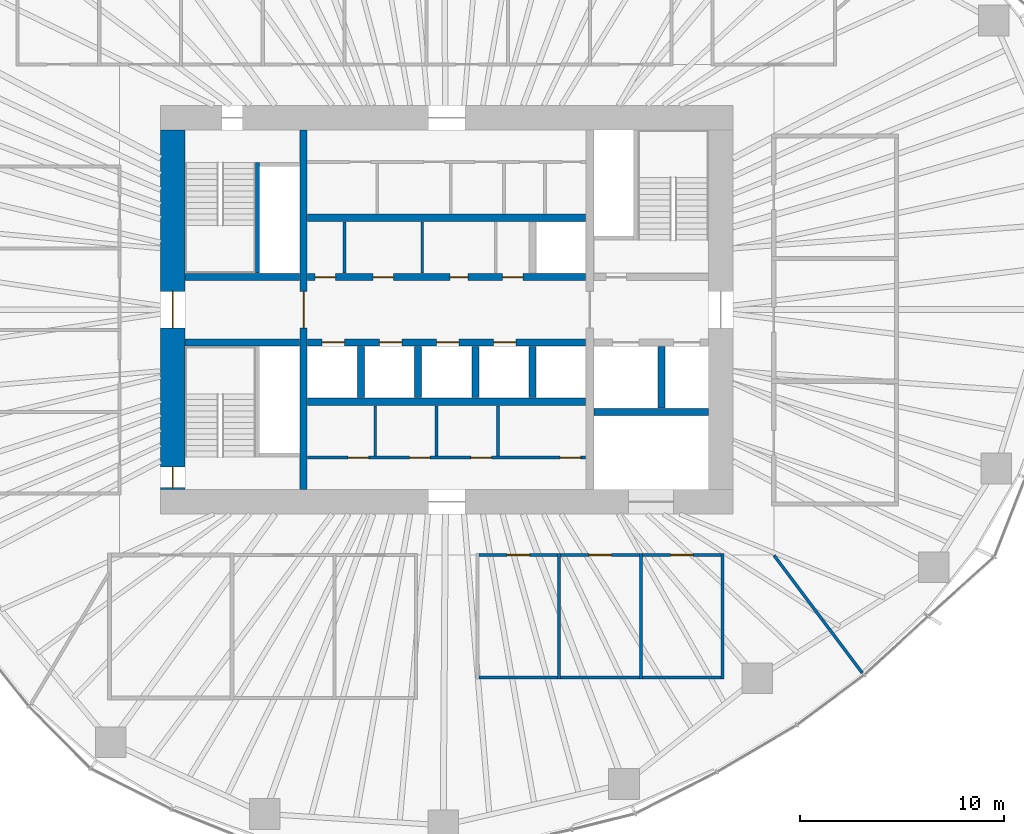
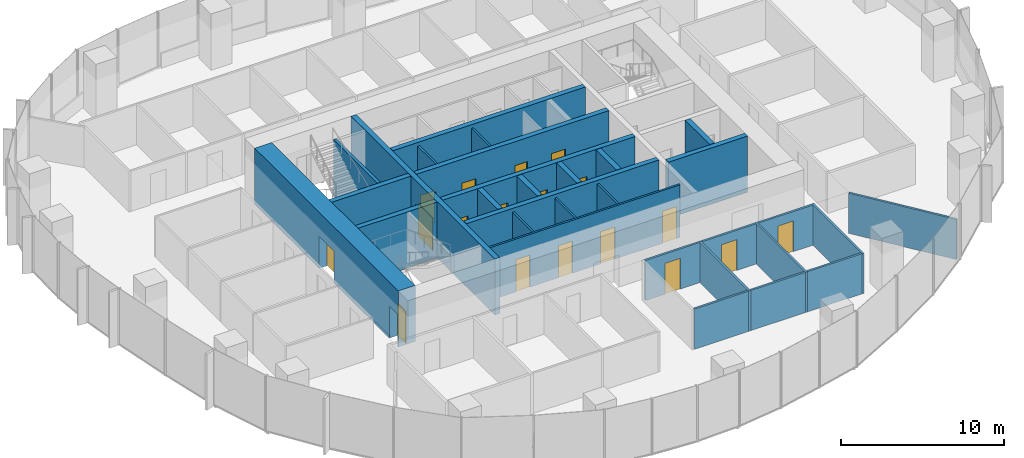
# One storey, part 9 of 18: 31 walls, 18 doors, 18 openings.
"""IFC4 building model written with IfcOpenShell, lengths in metres."""

from ifc_helpers import new_model, si_unit, direction, frame, frame_2d, origin, place, context, subcontext, project, spatial, rectangle, extrude, material, layer, layer_set, type_object, element, fill, save


model = new_model("IFC4")

# Units and contexts
model_context = context("Model", 3, precision=1e-05, world=origin(), true_north=direction((0.0, 1.0)))
body_context = subcontext(model_context, "Body", "Model", "MODEL_VIEW")
ifc_project = project(units=[si_unit("LENGTHUNIT", "METRE"), si_unit("AREAUNIT", "SQUARE_METRE"), si_unit("VOLUMEUNIT", "CUBIC_METRE"), si_unit("PLANEANGLEUNIT", "RADIAN"), si_unit("MASSUNIT", "GRAM", prefix="KILO")], contexts=[model_context])

# Site, building, storey
site_placement = place(None, origin())
site = spatial("IfcSite", under=ifc_project, at=site_placement, CompositionType="ELEMENT")
building_placement = place(site_placement, origin())
building = spatial("IfcBuilding", under=site, at=building_placement, Name="Ghaith Harvest Tower", CompositionType="ELEMENT")
storey_placement = place(building_placement, frame((0.0, 0.0, 113.39990234375)))
storey = spatial("IfcBuildingStorey", under=building, at=storey_placement, Name="L23", CompositionType="ELEMENT", Elevation=113.39990234375)

# Wall, openings, doors
ifc_material_1 = material(Name="Concrete blockwork, fair-faced", Category="masonry")
ifc_layer_1 = layer(ifc_material_1, 0.139892578125)
ifc_layer_set_1 = layer_set([ifc_layer_1], Name="CORE PARTITION 140")
wall_type_1 = type_object("IfcWallType", Name="CORE PARTITION 140", PredefinedType="PARTITIONING", material=ifc_layer_set_1)
wall_1_placement = place(storey_placement, frame((-6.800048828125, -7.22998046875, 0.0), z_axis=(0.0, 0.0, 1.0), x_axis=(1.0, 0.0, 0.0)))
wall_1 = element("IfcWall", 1, at=wall_1_placement, inside=storey, type_object=wall_type_1, Name="Core partition L23", PredefinedType="PARTITIONING", context=body_context, shape_type="SweptSolid", body=[
    extrude(rectangle(XDim=13.60009765625, YDim=0.139892578125, at=frame_2d((6.800048828125, 0.0))), origin(), (0.0, 0.0, 1.0), 3.9501953125),
])
opening_1_placement = place(wall_1_placement, frame((1.97998046875, 0.0, 0.0)))
opening_1 = element("IfcOpeningElement", 2, at=opening_1_placement, cuts=wall_1, Name="Opening 23-013", PredefinedType="OPENING", context=body_context, shape_type="SweptSolid", body=[
    extrude(rectangle(XDim=1.0, YDim=2.39990234375, at=frame_2d((0.5, 1.199951171875))), frame((0.0, 0.080078125, 0.0), z_axis=(0.0, -1.0, 0.0), x_axis=(1.0, 0.0, 0.0)), (0.0, 0.0, 1.0), 0.159912109375),
])
opening_2_placement = place(wall_1_placement, frame((4.97998046875, 0.0, 0.0)))
opening_2 = element("IfcOpeningElement", 3, at=opening_2_placement, cuts=wall_1, Name="Opening 23-014", PredefinedType="OPENING", context=body_context, shape_type="SweptSolid", body=[
    extrude(rectangle(XDim=1.0, YDim=2.39990234375, at=frame_2d((0.5, 1.199951171875))), frame((0.0, 0.080078125, 0.0), z_axis=(0.0, -1.0, 0.0), x_axis=(1.0, 0.0, 0.0)), (0.0, 0.0, 1.0), 0.159912109375),
])
opening_3_placement = place(wall_1_placement, frame((7.97998046875, 0.0, 0.0)))
opening_3 = element("IfcOpeningElement", 4, at=opening_3_placement, cuts=wall_1, Name="Opening 23-015", PredefinedType="OPENING", context=body_context, shape_type="SweptSolid", body=[
    extrude(rectangle(XDim=1.0, YDim=2.39990234375, at=frame_2d((0.5, 1.199951171875))), frame((0.0, 0.080078125, 0.0), z_axis=(0.0, -1.0, 0.0), x_axis=(1.0, 0.0, 0.0)), (0.0, 0.0, 1.0), 0.159912109375),
])
opening_4_placement = place(wall_1_placement, frame((12.35009765625, 0.0, 0.0)))
opening_4 = element("IfcOpeningElement", 5, at=opening_4_placement, cuts=wall_1, Name="Opening 23-016", PredefinedType="OPENING", context=body_context, shape_type="SweptSolid", body=[
    extrude(rectangle(XDim=1.0, YDim=2.39990234375, at=frame_2d((0.5, 1.199951171875))), frame((0.0, 0.080078125, 0.0), z_axis=(0.0, -1.0, 0.0), x_axis=(1.0, 0.0, 0.0)), (0.0, 0.0, 1.0), 0.159912109375),
])
ifc_material_2 = material(Name="Steel fire door", Category="steel")
door_type_1 = type_object("IfcDoorType", Name="D3 FD90 1000x2400", OperationType="SINGLE_SWING_LEFT", PredefinedType="DOOR", material=ifc_material_2)
door_1_placement = place(opening_1_placement, origin())
door_1 = element("IfcDoor", 6, at=door_1_placement, inside=storey, type_object=door_type_1, Name="Electrical room door", OperationType="SINGLE_SWING_LEFT", OverallHeight=2.39990234375, OverallWidth=1.0, PredefinedType="DOOR", context=body_context, shape_type="SweptSolid", body=[
    extrude(rectangle(XDim=1.0, YDim=2.39990234375, at=frame_2d((0.5, 1.199951171875))), frame((0.0, 0.02490234375, 0.0), z_axis=(0.0, -1.0, 0.0), x_axis=(1.0, 0.0, 0.0)), (0.0, 0.0, 1.0), 0.050048828125),
])
fill(opening_1, door_1)
door_2_placement = place(opening_2_placement, origin())
door_2 = element("IfcDoor", 7, at=door_2_placement, inside=storey, type_object=door_type_1, Name="IT equipment room door", OperationType="SINGLE_SWING_LEFT", OverallHeight=2.39990234375, OverallWidth=1.0, PredefinedType="DOOR", context=body_context, shape_type="SweptSolid", body=[
    extrude(rectangle(XDim=1.0, YDim=2.39990234375, at=frame_2d((0.5, 1.199951171875))), frame((0.0, 0.02490234375, 0.0), z_axis=(0.0, -1.0, 0.0), x_axis=(1.0, 0.0, 0.0)), (0.0, 0.0, 1.0), 0.050048828125),
])
fill(opening_2, door_2)
door_3_placement = place(opening_3_placement, origin())
door_3 = element("IfcDoor", 8, at=door_3_placement, inside=storey, type_object=door_type_1, Name="Tea point door", OperationType="SINGLE_SWING_RIGHT", OverallHeight=2.39990234375, OverallWidth=1.0, PredefinedType="DOOR", context=body_context, shape_type="SweptSolid", body=[
    extrude(rectangle(XDim=1.0, YDim=2.39990234375, at=frame_2d((0.5, 1.199951171875))), frame((0.0, 0.02490234375, 0.0), z_axis=(0.0, -1.0, 0.0), x_axis=(1.0, 0.0, 0.0)), (0.0, 0.0, 1.0), 0.050048828125),
])
fill(opening_3, door_3)
door_4_placement = place(opening_4_placement, origin())
door_4 = element("IfcDoor", 9, at=door_4_placement, inside=storey, type_object=door_type_1, Name="Riser room door", OperationType="SINGLE_SWING_RIGHT", OverallHeight=2.39990234375, OverallWidth=1.0, PredefinedType="DOOR", context=body_context, shape_type="SweptSolid", body=[
    extrude(rectangle(XDim=1.0, YDim=2.39990234375, at=frame_2d((0.5, 1.199951171875))), frame((0.0, 0.02490234375, 0.0), z_axis=(0.0, -1.0, 0.0), x_axis=(1.0, 0.0, 0.0)), (0.0, 0.0, 1.0), 0.050048828125),
])
fill(opening_4, door_4)

# Walls
for number, where, z_axis, x_axis, name in (
    (10, (-3.5, -4.699951171875, 0.0), (0.0, 0.0, 1.0), (0.0, -1.0, 0.0), "Core partition L23"),
    (11, (-0.5, -4.699951171875, 0.0), (0.0, 0.0, 1.0), (0.0, -1.0, 0.0), "Core partition L23"),
    (12, (2.5, -4.699951171875, 0.0), (0.0, 0.0, 1.0), (0.0, -1.0, 0.0), "Core partition L23"),
):
    element("IfcWall", number, at=place(storey_placement, frame(where, z_axis=z_axis, x_axis=x_axis)), inside=storey, type_object=wall_type_1, Name=name, PredefinedType="PARTITIONING", context=body_context, shape_type="SweptSolid", body=[
        extrude(rectangle(XDim=2.4599609375, YDim=0.139892578125, at=frame_2d((1.22998046875, 0.0))), origin(), (0.0, 0.0, 1.0), 3.9501953125),
    ])
for number, where, z_axis, x_axis, name in (
    (13, (-5.0, 1.800048828125, 0.0), (0.0, 0.0, 1.0), (0.0, 1.0, 0.0), "Core partition L23"),
    (14, (-1.199951171875, 1.800048828125, 0.0), (0.0, 0.0, 1.0), (0.0, 1.0, 0.0), "Core partition L23"),
):
    element("IfcWall", number, at=place(storey_placement, frame(where, z_axis=z_axis, x_axis=x_axis)), inside=storey, type_object=wall_type_1, Name=name, PredefinedType="PARTITIONING", context=body_context, shape_type="SweptSolid", body=[
        extrude(rectangle(XDim=2.5, YDim=0.139892578125, at=frame_2d((1.25, 0.0))), origin(), (0.0, 0.0, 1.0), 3.9501953125),
    ])

# Wall, openings, doors
ifc_material_3 = material(Name="Concrete C60/75", Category="concrete")
ifc_layer_2 = layer(ifc_material_3, 1.199951171875)
ifc_layer_set_2 = layer_set([ifc_layer_2], Name="CORE WALL CW1200 C60")
wall_type_2 = type_object("IfcWallType", Name="CORE WALL CW1200 C60", PredefinedType="SHEAR", material=ifc_layer_set_2)
wall_2_placement = place(storey_placement, frame((-13.39990234375, 8.800048828125, 0.0), z_axis=(0.0, 0.0, 1.0), x_axis=(0.0, -1.0, 0.0)))
wall_2 = element("IfcWall", 15, at=wall_2_placement, inside=storey, type_object=wall_type_2, Name="Core wall W L23", PredefinedType="SHEAR", context=body_context, shape_type="SweptSolid", body=[
    extrude(rectangle(XDim=17.60009765625, YDim=1.199951171875, at=frame_2d((8.800048828125, 0.0))), origin(), (0.0, 0.0, 1.0), 4.2001953125),
])
opening_5_placement = place(wall_2_placement, frame((7.89990234375, 0.0, 0.0)))
opening_5 = element("IfcOpeningElement", 16, at=opening_5_placement, cuts=wall_2, Name="Opening 23-001", PredefinedType="OPENING", context=body_context, shape_type="SweptSolid", body=[
    extrude(rectangle(XDim=1.800048828125, YDim=2.39990234375, at=frame_2d((0.89990234375, 1.199951171875))), frame((0.0, 0.60986328125, 0.0), z_axis=(0.0, -1.0, 0.0), x_axis=(1.0, 0.0, 0.0)), (0.0, 0.0, 1.0), 1.219970703125),
])
opening_6_placement = place(wall_2_placement, frame((16.5, 0.0, 0.0)))
opening_6 = element("IfcOpeningElement", 17, at=opening_6_placement, cuts=wall_2, Name="Opening 23-006", PredefinedType="OPENING", context=body_context, shape_type="SweptSolid", body=[
    extrude(rectangle(XDim=1.0, YDim=2.39990234375, at=frame_2d((0.5, 1.199951171875))), frame((0.0, 0.60986328125, 0.0), z_axis=(0.0, -1.0, 0.0), x_axis=(1.0, 0.0, 0.0)), (0.0, 0.0, 1.0), 1.219970703125),
])
door_5_placement = place(opening_6_placement, origin())
door_5 = element("IfcDoor", 18, at=door_5_placement, inside=storey, type_object=door_type_1, Name="Stair ST3 door", OperationType="SINGLE_SWING_RIGHT", OverallHeight=2.39990234375, OverallWidth=1.0, PredefinedType="DOOR", context=body_context, shape_type="SweptSolid", body=[
    extrude(rectangle(XDim=1.0, YDim=2.39990234375, at=frame_2d((0.5, 1.199951171875))), frame((0.0, 0.02490234375, 0.0), z_axis=(0.0, -1.0, 0.0), x_axis=(1.0, 0.0, 0.0)), (0.0, 0.0, 1.0), 0.050048828125),
])
fill(opening_6, door_5)
ifc_material_4 = material(Name="Steel fire door", Category="steel")
door_type_2 = type_object("IfcDoorType", Name="D4 FD90 PAIR 1800x2400", OperationType="DOUBLE_DOOR_SINGLE_SWING", PredefinedType="DOOR", material=ifc_material_4)
door_6_placement = place(opening_5_placement, origin())
door_6 = element("IfcDoor", 19, at=door_6_placement, inside=storey, type_object=door_type_2, Name="West lobby doors", OperationType="DOUBLE_DOOR_SINGLE_SWING", OverallHeight=2.39990234375, OverallWidth=1.800048828125, PredefinedType="DOOR", context=body_context, shape_type="SweptSolid", body=[
    extrude(rectangle(XDim=1.800048828125, YDim=2.39990234375, at=frame_2d((0.89990234375, 1.199951171875))), frame((0.0, 0.02490234375, 0.0), z_axis=(0.0, -1.0, 0.0), x_axis=(1.0, 0.0, 0.0)), (0.0, 0.0, 1.0), 0.050048828125),
])
fill(opening_5, door_6)

# Walls
ifc_material_5 = material(Name="Gypsum board on steel studs", Category="steel")
ifc_layer_3 = layer(ifc_material_5, 0.14990234375)
ifc_layer_set_3 = layer_set([ifc_layer_3], Name="PARTITION 150")
wall_type_3 = type_object("IfcWallType", Name="PARTITION 150", PredefinedType="PARTITIONING", material=ifc_layer_set_3)
for number, where, z_axis, x_axis, name in (
    (20, (5.5, -11.925048828125, 0.0), (0.0, 0.0, 1.0), (0.0, -1.0, 0.0), "Partition L23 row S5 cross wall 2"),
    (21, (9.5, -11.925048828125, 0.0), (0.0, 0.0, 1.0), (0.0, -1.0, 0.0), "Partition L23 row S5 cross wall 3"),
    (22, (13.5, -11.925048828125, 0.0), (0.0, 0.0, 1.0), (0.0, -1.0, 0.0), "Partition L23 row S5 cross wall 4"),
):
    element("IfcWall", number, at=place(storey_placement, frame(where, z_axis=z_axis, x_axis=x_axis)), inside=storey, type_object=wall_type_3, Name=name, PredefinedType="PARTITIONING", context=body_context, shape_type="SweptSolid", body=[
        extrude(rectangle(XDim=6.14990234375, YDim=0.14990234375, at=frame_2d((3.074951171875, 0.0))), origin(), (0.0, 0.0, 1.0), 3.0),
    ])

# Wall, opening, door
wall_3_placement = place(storey_placement, frame((1.574951171875, -12.0, 0.0), z_axis=(0.0, 0.0, 1.0), x_axis=(1.0, 0.0, 0.0)))
wall_3 = element("IfcWall", 23, at=wall_3_placement, inside=storey, type_object=wall_type_3, Name="Partition L23-16", PredefinedType="PARTITIONING", context=body_context, shape_type="SweptSolid", body=[
    extrude(rectangle(XDim=3.85009765625, YDim=0.14990234375, at=frame_2d((1.925048828125, 0.0))), origin(), (0.0, 0.0, 1.0), 3.0),
])
opening_7_placement = place(wall_3_placement, frame((1.375, 0.0, 0.0)))
opening_7 = element("IfcOpeningElement", 24, at=opening_7_placement, cuts=wall_3, Name="Opening 23-045", PredefinedType="OPENING", context=body_context, shape_type="SweptSolid", body=[
    extrude(rectangle(XDim=1.10009765625, YDim=2.300048828125, at=frame_2d((0.550048828125, 1.14990234375))), frame((0.0, 0.0849609375, 0.0), z_axis=(0.0, -1.0, 0.0), x_axis=(1.0, 0.0, 0.0)), (0.0, 0.0, 1.0), 0.169921875),
])
ifc_material_6 = material(Name="Timber-framed glazed door", Category="wood")
door_type_3 = type_object("IfcDoorType", Name="D12 GLAZED OFFICE 1100x2300", OperationType="SINGLE_SWING_LEFT", PredefinedType="DOOR", material=ifc_material_6)
door_7_placement = place(opening_7_placement, origin())
door_7 = element("IfcDoor", 25, at=door_7_placement, inside=storey, type_object=door_type_3, Name="Office door", OperationType="SINGLE_SWING_LEFT", OverallHeight=2.300048828125, OverallWidth=1.10009765625, PredefinedType="DOOR", context=body_context, shape_type="SweptSolid", body=[
    extrude(rectangle(XDim=1.10009765625, YDim=2.300048828125, at=frame_2d((0.550048828125, 1.14990234375))), frame((0.0, 0.02490234375, 0.0), z_axis=(0.0, -1.0, 0.0), x_axis=(1.0, 0.0, 0.0)), (0.0, 0.0, 1.0), 0.050048828125),
])
fill(opening_7, door_7)

# Wall
wall_4_placement = place(storey_placement, frame((1.574951171875, -18.0, 0.0), z_axis=(0.0, 0.0, 1.0), x_axis=(1.0, 0.0, 0.0)))
element("IfcWall", 26, at=wall_4_placement, inside=storey, type_object=wall_type_3, Name="Partition L23-16", PredefinedType="PARTITIONING", context=body_context, shape_type="SweptSolid", body=[
    extrude(rectangle(XDim=3.85009765625, YDim=0.14990234375, at=frame_2d((1.925048828125, 0.0))), origin(), (0.0, 0.0, 1.0), 3.0),
])

# Wall, opening, door
wall_5_placement = place(storey_placement, frame((5.574951171875, -12.0, 0.0), z_axis=(0.0, 0.0, 1.0), x_axis=(1.0, 0.0, 0.0)))
wall_5 = element("IfcWall", 27, at=wall_5_placement, inside=storey, type_object=wall_type_3, Name="Partition L23-17", PredefinedType="PARTITIONING", context=body_context, shape_type="SweptSolid", body=[
    extrude(rectangle(XDim=3.85009765625, YDim=0.14990234375, at=frame_2d((1.925048828125, 0.0))), origin(), (0.0, 0.0, 1.0), 3.0),
])
opening_8_placement = place(wall_5_placement, frame((1.375, 0.0, 0.0)))
opening_8 = element("IfcOpeningElement", 28, at=opening_8_placement, cuts=wall_5, Name="Opening 23-046", PredefinedType="OPENING", context=body_context, shape_type="SweptSolid", body=[
    extrude(rectangle(XDim=1.10009765625, YDim=2.300048828125, at=frame_2d((0.550048828125, 1.14990234375))), frame((0.0, 0.0849609375, 0.0), z_axis=(0.0, -1.0, 0.0), x_axis=(1.0, 0.0, 0.0)), (0.0, 0.0, 1.0), 0.169921875),
])
door_8_placement = place(opening_8_placement, origin())
door_8 = element("IfcDoor", 29, at=door_8_placement, inside=storey, type_object=door_type_3, Name="Office door", OperationType="SINGLE_SWING_LEFT", OverallHeight=2.300048828125, OverallWidth=1.10009765625, PredefinedType="DOOR", context=body_context, shape_type="SweptSolid", body=[
    extrude(rectangle(XDim=1.10009765625, YDim=2.300048828125, at=frame_2d((0.550048828125, 1.14990234375))), frame((0.0, 0.02490234375, 0.0), z_axis=(0.0, -1.0, 0.0), x_axis=(1.0, 0.0, 0.0)), (0.0, 0.0, 1.0), 0.050048828125),
])
fill(opening_8, door_8)

# Wall
wall_6_placement = place(storey_placement, frame((5.574951171875, -18.0, 0.0), z_axis=(0.0, 0.0, 1.0), x_axis=(1.0, 0.0, 0.0)))
element("IfcWall", 30, at=wall_6_placement, inside=storey, type_object=wall_type_3, Name="Partition L23-17", PredefinedType="PARTITIONING", context=body_context, shape_type="SweptSolid", body=[
    extrude(rectangle(XDim=3.85009765625, YDim=0.14990234375, at=frame_2d((1.925048828125, 0.0))), origin(), (0.0, 0.0, 1.0), 3.0),
])

# Wall, opening, door
wall_7_placement = place(storey_placement, frame((9.574951171875, -12.0, 0.0), z_axis=(0.0, 0.0, 1.0), x_axis=(1.0, 0.0, 0.0)))
wall_7 = element("IfcWall", 31, at=wall_7_placement, inside=storey, type_object=wall_type_3, Name="Partition L23-18", PredefinedType="PARTITIONING", context=body_context, shape_type="SweptSolid", body=[
    extrude(rectangle(XDim=3.85009765625, YDim=0.14990234375, at=frame_2d((1.925048828125, 0.0))), origin(), (0.0, 0.0, 1.0), 3.0),
])
opening_9_placement = place(wall_7_placement, frame((1.375, 0.0, 0.0)))
opening_9 = element("IfcOpeningElement", 32, at=opening_9_placement, cuts=wall_7, Name="Opening 23-047", PredefinedType="OPENING", context=body_context, shape_type="SweptSolid", body=[
    extrude(rectangle(XDim=1.10009765625, YDim=2.300048828125, at=frame_2d((0.550048828125, 1.14990234375))), frame((0.0, 0.0849609375, 0.0), z_axis=(0.0, -1.0, 0.0), x_axis=(1.0, 0.0, 0.0)), (0.0, 0.0, 1.0), 0.169921875),
])
door_9_placement = place(opening_9_placement, origin())
door_9 = element("IfcDoor", 33, at=door_9_placement, inside=storey, type_object=door_type_3, Name="Office door", OperationType="SINGLE_SWING_LEFT", OverallHeight=2.300048828125, OverallWidth=1.10009765625, PredefinedType="DOOR", context=body_context, shape_type="SweptSolid", body=[
    extrude(rectangle(XDim=1.10009765625, YDim=2.300048828125, at=frame_2d((0.550048828125, 1.14990234375))), frame((0.0, 0.02490234375, 0.0), z_axis=(0.0, -1.0, 0.0), x_axis=(1.0, 0.0, 0.0)), (0.0, 0.0, 1.0), 0.050048828125),
])
fill(opening_9, door_9)

# Walls
wall_8_placement = place(storey_placement, frame((9.574951171875, -18.0, 0.0), z_axis=(0.0, 0.0, 1.0), x_axis=(1.0, 0.0, 0.0)))
element("IfcWall", 34, at=wall_8_placement, inside=storey, type_object=wall_type_3, Name="Partition L23-18", PredefinedType="PARTITIONING", context=body_context, shape_type="SweptSolid", body=[
    extrude(rectangle(XDim=3.85009765625, YDim=0.14990234375, at=frame_2d((1.925048828125, 0.0))), origin(), (0.0, 0.0, 1.0), 3.0),
])
wall_9_placement = place(storey_placement, frame((16.011962890625, -12.01611328125, 0.0), z_axis=(0.0, 0.0, 1.0), x_axis=(0.600059749679, -0.799955184254, 0.0)))
element("IfcWall", 35, at=wall_9_placement, inside=storey, type_object=wall_type_3, Name="Partition L23 zone division", PredefinedType="PARTITIONING", context=body_context, shape_type="SweptSolid", body=[
    extrude(rectangle(XDim=7.191162109375, YDim=0.14990234375, at=frame_2d((3.595703125, 0.0))), origin(), (0.0, 0.0, 1.0), 3.0),
])

# Wall, opening, door
ifc_material_7 = material(Name="Concrete C60/75", Category="concrete")
ifc_layer_4 = layer(ifc_material_7, 0.35009765625)
ifc_layer_set_4 = layer_set([ifc_layer_4], Name="SHAFT WALL 350")
wall_type_4 = type_object("IfcWallType", Name="SHAFT WALL 350", PredefinedType="SHEAR", material=ifc_layer_set_4)
wall_10_placement = place(storey_placement, frame((-7.0, -8.800048828125, 0.0), z_axis=(0.0, 0.0, 1.0), x_axis=(0.0, 1.0, 0.0)))
wall_10 = element("IfcWall", 36, at=wall_10_placement, inside=storey, type_object=wall_type_4, Name="Shaft wall W7W L23", PredefinedType="SHEAR", context=body_context, shape_type="SweptSolid", body=[
    extrude(rectangle(XDim=17.60009765625, YDim=0.35009765625, at=frame_2d((8.800048828125, 0.0))), origin(), (0.0, 0.0, 1.0), 4.2001953125),
])
opening_10_placement = place(wall_10_placement, frame((7.89990234375, 0.0, 0.0)))
opening_10 = element("IfcOpeningElement", 37, at=opening_10_placement, cuts=wall_10, Name="Opening 23-003", PredefinedType="OPENING", context=body_context, shape_type="SweptSolid", body=[
    extrude(rectangle(XDim=1.800048828125, YDim=2.39990234375, at=frame_2d((0.89990234375, 1.199951171875))), frame((0.0, 0.18505859375, 0.0), z_axis=(0.0, -1.0, 0.0), x_axis=(1.0, 0.0, 0.0)), (0.0, 0.0, 1.0), 0.3701171875),
])
door_10_placement = place(opening_10_placement, origin())
door_10 = element("IfcDoor", 38, at=door_10_placement, inside=storey, type_object=door_type_2, Name="Lift lobby doors, west", OperationType="DOUBLE_DOOR_SINGLE_SWING", OverallHeight=2.39990234375, OverallWidth=1.800048828125, PredefinedType="DOOR", context=body_context, shape_type="SweptSolid", body=[
    extrude(rectangle(XDim=1.800048828125, YDim=2.39990234375, at=frame_2d((0.89990234375, 1.199951171875))), frame((0.0, 0.02490234375, 0.0), z_axis=(0.0, -1.0, 0.0), x_axis=(1.0, 0.0, 0.0)), (0.0, 0.0, 1.0), 0.050048828125),
])
fill(opening_10, door_10)

# Wall, openings, doors
wall_11_placement = place(storey_placement, frame((-6.800048828125, 1.60009765625, 0.0), z_axis=(0.0, 0.0, 1.0), x_axis=(1.0, 0.0, 0.0)))
wall_11 = element("IfcWall", 39, at=wall_11_placement, inside=storey, type_object=wall_type_4, Name="Shaft wall LN L23", PredefinedType="SHEAR", context=body_context, shape_type="SweptSolid", body=[
    extrude(rectangle(XDim=13.60009765625, YDim=0.35009765625, at=frame_2d((6.800048828125, 0.0))), origin(), (0.0, 0.0, 1.0), 4.2001953125),
])
opening_11_placement = place(wall_11_placement, frame((0.364990234375, 0.0, 0.0)))
opening_11 = element("IfcOpeningElement", 40, at=opening_11_placement, cuts=wall_11, Name="Opening 23-017", PredefinedType="OPENING", context=body_context, shape_type="SweptSolid", body=[
    extrude(rectangle(XDim=1.0, YDim=2.39990234375, at=frame_2d((0.5, 1.199951171875))), frame((0.0, 0.18505859375, 0.0), z_axis=(0.0, -1.0, 0.0), x_axis=(1.0, 0.0, 0.0)), (0.0, 0.0, 1.0), 0.3701171875),
])
opening_12_placement = place(wall_11_placement, frame((3.199951171875, 0.0, 0.0)))
opening_12 = element("IfcOpeningElement", 41, at=opening_12_placement, cuts=wall_11, Name="Opening 23-018", PredefinedType="OPENING", context=body_context, shape_type="SweptSolid", body=[
    extrude(rectangle(XDim=1.0, YDim=2.39990234375, at=frame_2d((0.5, 1.199951171875))), frame((0.0, 0.18505859375, 0.0), z_axis=(0.0, -1.0, 0.0), x_axis=(1.0, 0.0, 0.0)), (0.0, 0.0, 1.0), 0.3701171875),
])
opening_13_placement = place(wall_11_placement, frame((6.949951171875, 0.0, 0.0)))
opening_13 = element("IfcOpeningElement", 42, at=opening_13_placement, cuts=wall_11, Name="Opening 23-019", PredefinedType="OPENING", context=body_context, shape_type="SweptSolid", body=[
    extrude(rectangle(XDim=0.89990234375, YDim=2.39990234375, at=frame_2d((0.449951171875, 1.199951171875))), frame((0.0, 0.18505859375, 0.0), z_axis=(0.0, -1.0, 0.0), x_axis=(1.0, 0.0, 0.0)), (0.0, 0.0, 1.0), 0.3701171875),
])
opening_14_placement = place(wall_11_placement, frame((9.534912109375, 0.0, 0.0)))
opening_14 = element("IfcOpeningElement", 43, at=opening_14_placement, cuts=wall_11, Name="Opening 23-020", PredefinedType="OPENING", context=body_context, shape_type="SweptSolid", body=[
    extrude(rectangle(XDim=1.0, YDim=2.39990234375, at=frame_2d((0.5, 1.199951171875))), frame((0.0, 0.18505859375, 0.0), z_axis=(0.0, -1.0, 0.0), x_axis=(1.0, 0.0, 0.0)), (0.0, 0.0, 1.0), 0.3701171875),
])
door_11_placement = place(opening_11_placement, origin())
door_11 = element("IfcDoor", 44, at=door_11_placement, inside=storey, type_object=door_type_1, Name="Staff WC door", OperationType="SINGLE_SWING_LEFT", OverallHeight=2.39990234375, OverallWidth=1.0, PredefinedType="DOOR", context=body_context, shape_type="SweptSolid", body=[
    extrude(rectangle(XDim=1.0, YDim=2.39990234375, at=frame_2d((0.5, 1.199951171875))), frame((0.0, 0.02490234375, 0.0), z_axis=(0.0, -1.0, 0.0), x_axis=(1.0, 0.0, 0.0)), (0.0, 0.0, 1.0), 0.050048828125),
])
fill(opening_11, door_11)
door_12_placement = place(opening_12_placement, origin())
door_12 = element("IfcDoor", 45, at=door_12_placement, inside=storey, type_object=door_type_1, Name="Staff WC door", OperationType="SINGLE_SWING_LEFT", OverallHeight=2.39990234375, OverallWidth=1.0, PredefinedType="DOOR", context=body_context, shape_type="SweptSolid", body=[
    extrude(rectangle(XDim=1.0, YDim=2.39990234375, at=frame_2d((0.5, 1.199951171875))), frame((0.0, 0.02490234375, 0.0), z_axis=(0.0, -1.0, 0.0), x_axis=(1.0, 0.0, 0.0)), (0.0, 0.0, 1.0), 0.050048828125),
])
fill(opening_12, door_12)
door_13_placement = place(opening_14_placement, origin())
door_13 = element("IfcDoor", 46, at=door_13_placement, inside=storey, type_object=door_type_1, Name="Mail room door", OperationType="SINGLE_SWING_RIGHT", OverallHeight=2.39990234375, OverallWidth=1.0, PredefinedType="DOOR", context=body_context, shape_type="SweptSolid", body=[
    extrude(rectangle(XDim=1.0, YDim=2.39990234375, at=frame_2d((0.5, 1.199951171875))), frame((0.0, 0.02490234375, 0.0), z_axis=(0.0, -1.0, 0.0), x_axis=(1.0, 0.0, 0.0)), (0.0, 0.0, 1.0), 0.050048828125),
])
fill(opening_14, door_13)
ifc_material_8 = material(Name="Steel fire door", Category="steel")
door_type_4 = type_object("IfcDoorType", Name="D5 FD90 900x2400", OperationType="SINGLE_SWING_LEFT", PredefinedType="DOOR", material=ifc_material_8)
door_14_placement = place(opening_13_placement, origin())
door_14 = element("IfcDoor", 47, at=door_14_placement, inside=storey, type_object=door_type_4, Name="Lobby store door", OperationType="SINGLE_SWING_RIGHT", OverallHeight=2.39990234375, OverallWidth=0.89990234375, PredefinedType="DOOR", context=body_context, shape_type="SweptSolid", body=[
    extrude(rectangle(XDim=0.89990234375, YDim=2.39990234375, at=frame_2d((0.449951171875, 1.199951171875))), frame((0.0, 0.02490234375, 0.0), z_axis=(0.0, -1.0, 0.0), x_axis=(1.0, 0.0, 0.0)), (0.0, 0.0, 1.0), 0.050048828125),
])
fill(opening_13, door_14)

wall_12_placement = place(storey_placement, frame((-6.800048828125, -1.60009765625, 0.0), z_axis=(0.0, 0.0, 1.0), x_axis=(1.0, 0.0, 0.0)))
wall_12 = element("IfcWall", 48, at=wall_12_placement, inside=storey, type_object=wall_type_4, Name="Shaft wall LS L23", PredefinedType="SHEAR", context=body_context, shape_type="SweptSolid", body=[
    extrude(rectangle(XDim=13.60009765625, YDim=0.35009765625, at=frame_2d((6.800048828125, 0.0))), origin(), (0.0, 0.0, 1.0), 4.2001953125),
])
opening_15_placement = place(wall_12_placement, frame((0.699951171875, 0.0, 0.0)))
opening_15 = element("IfcOpeningElement", 49, at=opening_15_placement, cuts=wall_12, Name="Opening 23-023", PredefinedType="OPENING", context=body_context, shape_type="SweptSolid", body=[
    extrude(rectangle(XDim=1.10009765625, YDim=2.39990234375, at=frame_2d((0.550048828125, 1.199951171875))), frame((0.0, 0.18505859375, 0.0), z_axis=(0.0, -1.0, 0.0), x_axis=(1.0, 0.0, 0.0)), (0.0, 0.0, 1.0), 0.3701171875),
])
opening_16_placement = place(wall_12_placement, frame((3.5, 0.0, 0.0)))
opening_16 = element("IfcOpeningElement", 50, at=opening_16_placement, cuts=wall_12, Name="Opening 23-024", PredefinedType="OPENING", context=body_context, shape_type="SweptSolid", body=[
    extrude(rectangle(XDim=1.10009765625, YDim=2.39990234375, at=frame_2d((0.550048828125, 1.199951171875))), frame((0.0, 0.18505859375, 0.0), z_axis=(0.0, -1.0, 0.0), x_axis=(1.0, 0.0, 0.0)), (0.0, 0.0, 1.0), 0.3701171875),
])
opening_17_placement = place(wall_12_placement, frame((6.300048828125, 0.0, 0.0)))
opening_17 = element("IfcOpeningElement", 51, at=opening_17_placement, cuts=wall_12, Name="Opening 23-025", PredefinedType="OPENING", context=body_context, shape_type="SweptSolid", body=[
    extrude(rectangle(XDim=1.10009765625, YDim=2.39990234375, at=frame_2d((0.550048828125, 1.199951171875))), frame((0.0, 0.18505859375, 0.0), z_axis=(0.0, -1.0, 0.0), x_axis=(1.0, 0.0, 0.0)), (0.0, 0.0, 1.0), 0.3701171875),
])
opening_18_placement = place(wall_12_placement, frame((9.10009765625, 0.0, 0.0)))
opening_18 = element("IfcOpeningElement", 52, at=opening_18_placement, cuts=wall_12, Name="Opening 23-026", PredefinedType="OPENING", context=body_context, shape_type="SweptSolid", body=[
    extrude(rectangle(XDim=1.10009765625, YDim=2.39990234375, at=frame_2d((0.550048828125, 1.199951171875))), frame((0.0, 0.18505859375, 0.0), z_axis=(0.0, -1.0, 0.0), x_axis=(1.0, 0.0, 0.0)), (0.0, 0.0, 1.0), 0.3701171875),
])
ifc_material_9 = material(Name="Steel fire door", Category="steel")
door_type_5 = type_object("IfcDoorType", Name="LD1 LANDING 1100x2400", OperationType="DOUBLE_DOOR_SLIDING", PredefinedType="DOOR", material=ifc_material_9)
door_15_placement = place(opening_15_placement, origin())
door_15 = element("IfcDoor", 53, at=door_15_placement, inside=storey, type_object=door_type_5, Name="Landing door, lift LR1", OperationType="DOUBLE_DOOR_SLIDING", OverallHeight=2.39990234375, OverallWidth=1.10009765625, PredefinedType="DOOR", context=body_context, shape_type="SweptSolid", body=[
    extrude(rectangle(XDim=1.10009765625, YDim=2.39990234375, at=frame_2d((0.550048828125, 1.199951171875))), frame((0.0, 0.02490234375, 0.0), z_axis=(0.0, -1.0, 0.0), x_axis=(1.0, 0.0, 0.0)), (0.0, 0.0, 1.0), 0.050048828125),
])
fill(opening_15, door_15)
door_16_placement = place(opening_16_placement, origin())
door_16 = element("IfcDoor", 54, at=door_16_placement, inside=storey, type_object=door_type_5, Name="Landing door, lift LR2", OperationType="DOUBLE_DOOR_SLIDING", OverallHeight=2.39990234375, OverallWidth=1.10009765625, PredefinedType="DOOR", context=body_context, shape_type="SweptSolid", body=[
    extrude(rectangle(XDim=1.10009765625, YDim=2.39990234375, at=frame_2d((0.550048828125, 1.199951171875))), frame((0.0, 0.02490234375, 0.0), z_axis=(0.0, -1.0, 0.0), x_axis=(1.0, 0.0, 0.0)), (0.0, 0.0, 1.0), 0.050048828125),
])
fill(opening_16, door_16)
door_17_placement = place(opening_17_placement, origin())
door_17 = element("IfcDoor", 55, at=door_17_placement, inside=storey, type_object=door_type_5, Name="Landing door, lift LR3", OperationType="DOUBLE_DOOR_SLIDING", OverallHeight=2.39990234375, OverallWidth=1.10009765625, PredefinedType="DOOR", context=body_context, shape_type="SweptSolid", body=[
    extrude(rectangle(XDim=1.10009765625, YDim=2.39990234375, at=frame_2d((0.550048828125, 1.199951171875))), frame((0.0, 0.02490234375, 0.0), z_axis=(0.0, -1.0, 0.0), x_axis=(1.0, 0.0, 0.0)), (0.0, 0.0, 1.0), 0.050048828125),
])
fill(opening_17, door_17)
door_18_placement = place(opening_18_placement, origin())
door_18 = element("IfcDoor", 56, at=door_18_placement, inside=storey, type_object=door_type_5, Name="Landing door, lift LR4", OperationType="DOUBLE_DOOR_SLIDING", OverallHeight=2.39990234375, OverallWidth=1.10009765625, PredefinedType="DOOR", context=body_context, shape_type="SweptSolid", body=[
    extrude(rectangle(XDim=1.10009765625, YDim=2.39990234375, at=frame_2d((0.550048828125, 1.199951171875))), frame((0.0, 0.02490234375, 0.0), z_axis=(0.0, -1.0, 0.0), x_axis=(1.0, 0.0, 0.0)), (0.0, 0.0, 1.0), 0.050048828125),
])
fill(opening_18, door_18)

# Walls
for number, where, z_axis, x_axis, name in (
    (57, (-6.800048828125, 4.5, 0.0), (0.0, 0.0, 1.0), (1.0, 0.0, 0.0), "Shaft wall BN L23"),
    (58, (-6.800048828125, -4.5, 0.0), (0.0, 0.0, 1.0), (1.0, 0.0, 0.0), "Shaft wall BS L23"),
):
    element("IfcWall", number, at=place(storey_placement, frame(where, z_axis=z_axis, x_axis=x_axis)), inside=storey, type_object=wall_type_4, Name=name, PredefinedType="SHEAR", context=body_context, shape_type="SweptSolid", body=[
        extrude(rectangle(XDim=13.60009765625, YDim=0.35009765625, at=frame_2d((6.800048828125, 0.0))), origin(), (0.0, 0.0, 1.0), 4.2001953125),
    ])
for number, where, z_axis, x_axis, name in (
    (59, (-12.800048828125, 1.60009765625, 0.0), (0.0, 0.0, 1.0), (1.0, 0.0, 0.0), "Shaft wall WN L23"),
    (60, (-12.800048828125, -1.60009765625, 0.0), (0.0, 0.0, 1.0), (1.0, 0.0, 0.0), "Shaft wall WS L23"),
):
    element("IfcWall", number, at=place(storey_placement, frame(where, z_axis=z_axis, x_axis=x_axis)), inside=storey, type_object=wall_type_4, Name=name, PredefinedType="SHEAR", context=body_context, shape_type="SweptSolid", body=[
        extrude(rectangle(XDim=5.60009765625, YDim=0.35009765625, at=frame_2d((2.800048828125, 0.0))), origin(), (0.0, 0.0, 1.0), 4.2001953125),
    ])
wall_13_placement = place(storey_placement, frame((10.5, -4.800048828125, 0.0), z_axis=(0.0, 0.0, 1.0), x_axis=(0.0, 1.0, 0.0)))
element("IfcWall", 61, at=wall_13_placement, inside=storey, type_object=wall_type_4, Name="Shaft wall FLD L23", PredefinedType="SHEAR", context=body_context, shape_type="SweptSolid", body=[
    extrude(rectangle(XDim=3.0, YDim=0.35009765625, at=frame_2d((1.5, 0.0))), origin(), (0.0, 0.0, 1.0), 4.2001953125),
])
wall_14_placement = place(storey_placement, frame((7.199951171875, -5.0, 0.0), z_axis=(0.0, 0.0, 1.0), x_axis=(1.0, 0.0, 0.0)))
element("IfcWall", 62, at=wall_14_placement, inside=storey, type_object=wall_type_4, Name="Shaft wall FLB L23", PredefinedType="SHEAR", context=body_context, shape_type="SweptSolid", body=[
    extrude(rectangle(XDim=5.60009765625, YDim=0.35009765625, at=frame_2d((2.800048828125, 0.0))), origin(), (0.0, 0.0, 1.0), 4.2001953125),
])
for number, where, z_axis, x_axis, name in (
    (63, (-4.199951171875, -4.300048828125, 0.0), (0.0, 0.0, 1.0), (0.0, 1.0, 0.0), "Shaft wall DS1 L23"),
    (64, (-1.39990234375, -4.300048828125, 0.0), (0.0, 0.0, 1.0), (0.0, 1.0, 0.0), "Shaft wall DS2 L23"),
    (65, (1.39990234375, -4.300048828125, 0.0), (0.0, 0.0, 1.0), (0.0, 1.0, 0.0), "Shaft wall DS3 L23"),
    (66, (4.199951171875, -4.300048828125, 0.0), (0.0, 0.0, 1.0), (0.0, 1.0, 0.0), "Shaft wall DS4 L23"),
):
    element("IfcWall", number, at=place(storey_placement, frame(where, z_axis=z_axis, x_axis=x_axis)), inside=storey, type_object=wall_type_4, Name=name, PredefinedType="SHEAR", context=body_context, shape_type="SweptSolid", body=[
        extrude(rectangle(XDim=2.5, YDim=0.35009765625, at=frame_2d((1.25, 0.0))), origin(), (0.0, 0.0, 1.0), 4.2001953125),
    ])
ifc_material_10 = material(Name="Concrete C40/50", Category="concrete")
ifc_layer_5 = layer(ifc_material_10, 0.199951171875)
ifc_layer_set_5 = layer_set([ifc_layer_5], Name="STAIR SPINE WALL RC200")
wall_type_5 = type_object("IfcWallType", Name="STAIR SPINE WALL RC200", PredefinedType="SOLIDWALL", material=ifc_layer_set_5)
wall_15_placement = place(storey_placement, frame((-9.25, 7.199951171875, 0.0), z_axis=(0.0, 0.0, 1.0), x_axis=(0.0, -1.0, 0.0)))
element("IfcWall", 67, at=wall_15_placement, inside=storey, type_object=wall_type_5, Name="Stair ST1 spine wall L23", PredefinedType="SOLIDWALL", context=body_context, shape_type="SweptSolid", body=[
    extrude(rectangle(XDim=5.39990234375, YDim=0.199951171875, at=frame_2d((2.699951171875, 0.0))), origin(), (0.0, 0.0, 1.0), 4.2001953125),
])

save(model, "model.ifc")
